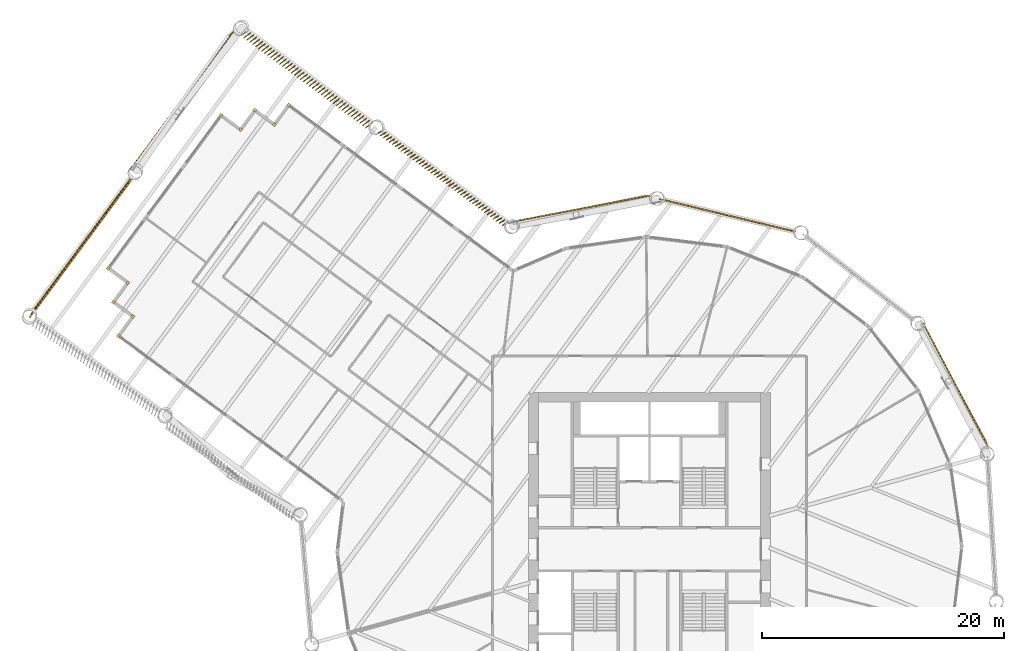
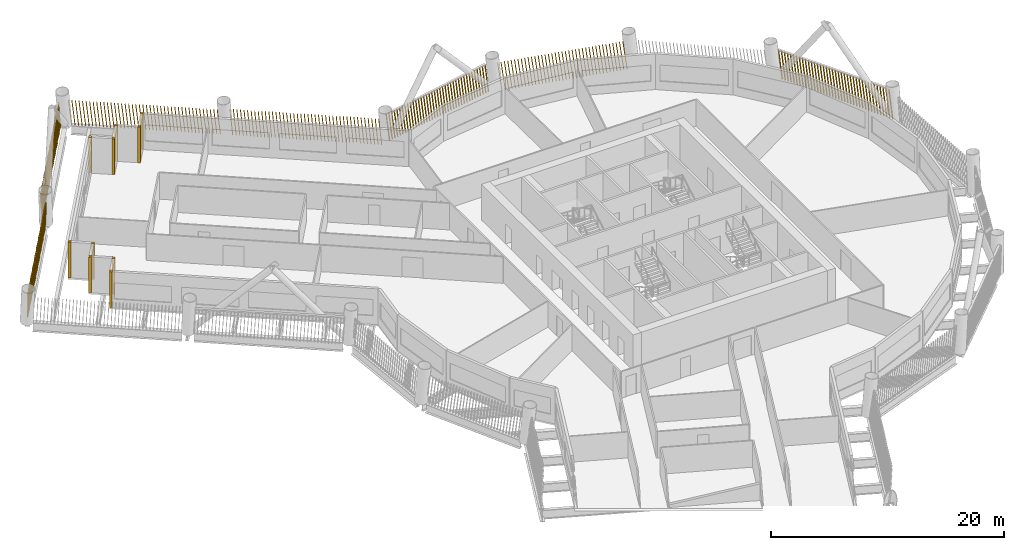
# One storey, part 21 of 23: 17 shading devices.
"""IFC4 building model written with IfcOpenShell, lengths in metres."""

from ifc_helpers import new_model, si_unit, direction, frame, frame_2d, origin, origin_2d, place, context, subcontext, project, spatial, rectangle, composite_profile, extrude, material, type_object, element, save


model = new_model("IFC4")

# Units and contexts
model_context = context("Model", 3, precision=1e-05, world=origin(), true_north=direction((0.0, 1.0)))
body_context = subcontext(model_context, "Body", "Model", "MODEL_VIEW")
ifc_project = project(units=[si_unit("LENGTHUNIT", "METRE"), si_unit("AREAUNIT", "SQUARE_METRE"), si_unit("VOLUMEUNIT", "CUBIC_METRE"), si_unit("PLANEANGLEUNIT", "RADIAN"), si_unit("MASSUNIT", "GRAM", prefix="KILO")], contexts=[model_context])

# Site, building, storey
site_placement = place(None, origin())
site = spatial("IfcSite", under=ifc_project, at=site_placement, CompositionType="ELEMENT")
building_placement = place(site_placement, origin())
building = spatial("IfcBuilding", under=site, at=building_placement, Name="Tarsis Ring Headquarters", CompositionType="ELEMENT")
storey_placement = place(building_placement, frame((0.0, 0.0, 124.0)))
storey = spatial("IfcBuildingStorey", under=building, at=storey_placement, Name="L28", CompositionType="ELEMENT", Elevation=124.0)

# Shading devices
ifc_material = material(Name="Terracotta baguette", Category="masonry")
shading_device_type_1 = type_object("IfcShadingDeviceType", Name="Terracotta baguette screen", PredefinedType="USERDEFINED", material=ifc_material)
shading_device_1_placement = place(storey_placement, frame((28.077392578125, 8.428955078125, 0.0), z_axis=(0.0, 0.0, 1.0), x_axis=(-0.465957677699, 0.884818231145, 0.0)))
element("IfcShadingDevice", 1, at=shading_device_1_placement, inside=storey, type_object=shading_device_type_1, Name="Baguette screen L28-11", ObjectType="Terracotta baguette screen", PredefinedType="USERDEFINED", context=body_context, shape_type="SweptSolid", body=[
    extrude(composite_profile([rectangle(XDim=0.06005859375, YDim=0.1201171875, at=frame_2d((0.030029296875, 0.0))), rectangle(XDim=0.06005859375, YDim=0.1201171875, at=frame_2d((0.33251953125, 0.0))), rectangle(XDim=0.06005859375, YDim=0.1201171875, at=frame_2d((0.634765625, 0.0))), rectangle(XDim=0.06005859375, YDim=0.1201171875, at=frame_2d((0.937255859375, 0.0))), rectangle(XDim=0.06005859375, YDim=0.1201171875, at=frame_2d((1.239501953125, 0.0))), rectangle(XDim=0.06005859375, YDim=0.1201171875, at=frame_2d((1.5419921875, 0.0))), rectangle(XDim=0.06005859375, YDim=0.1201171875, at=frame_2d((1.844482421875, 0.0))), rectangle(XDim=0.06005859375, YDim=0.1201171875, at=frame_2d((2.146728515625, 0.0))), rectangle(XDim=0.06005859375, YDim=0.1201171875, at=frame_2d((2.44921875, 0.0))), rectangle(XDim=0.06005859375, YDim=0.1201171875, at=frame_2d((2.751708984375, 0.0))), rectangle(XDim=0.06005859375, YDim=0.1201171875, at=frame_2d((3.053955078125, 0.0))), rectangle(XDim=0.06005859375, YDim=0.1201171875, at=frame_2d((3.3564453125, 0.0))), rectangle(XDim=0.06005859375, YDim=0.1201171875, at=frame_2d((3.65869140625, 0.0))), rectangle(XDim=0.06005859375, YDim=0.1201171875, at=frame_2d((3.961181640625, 0.0))), rectangle(XDim=0.06005859375, YDim=0.1201171875, at=frame_2d((4.263671875, 0.0))), rectangle(XDim=0.06005859375, YDim=0.1201171875, at=frame_2d((4.56591796875, 0.0))), rectangle(XDim=0.06005859375, YDim=0.1201171875, at=frame_2d((4.868408203125, 0.0))), rectangle(XDim=0.06005859375, YDim=0.1201171875, at=frame_2d((5.1708984375, 0.0))), rectangle(XDim=0.06005859375, YDim=0.1201171875, at=frame_2d((5.47314453125, 0.0))), rectangle(XDim=0.06005859375, YDim=0.1201171875, at=frame_2d((5.775634765625, 0.0))), rectangle(XDim=0.06005859375, YDim=0.1201171875, at=frame_2d((6.077880859375, 0.0))), rectangle(XDim=0.06005859375, YDim=0.1201171875, at=frame_2d((6.38037109375, 0.0))), rectangle(XDim=0.06005859375, YDim=0.1201171875, at=frame_2d((6.682861328125, 0.0))), rectangle(XDim=0.06005859375, YDim=0.1201171875, at=frame_2d((6.985107421875, 0.0))), rectangle(XDim=0.06005859375, YDim=0.1201171875, at=frame_2d((7.28759765625, 0.0))), rectangle(XDim=0.06005859375, YDim=0.1201171875, at=frame_2d((7.590087890625, 0.0))), rectangle(XDim=0.06005859375, YDim=0.1201171875, at=frame_2d((7.892333984375, 0.0))), rectangle(XDim=0.06005859375, YDim=0.1201171875, at=frame_2d((8.19482421875, 0.0))), rectangle(XDim=0.06005859375, YDim=0.1201171875, at=frame_2d((8.4970703125, 0.0))), rectangle(XDim=0.06005859375, YDim=0.1201171875, at=frame_2d((8.799560546875, 0.0))), rectangle(XDim=0.06005859375, YDim=0.1201171875, at=frame_2d((9.10205078125, 0.0))), rectangle(XDim=0.06005859375, YDim=0.1201171875, at=frame_2d((9.404296875, 0.0))), rectangle(XDim=0.06005859375, YDim=0.1201171875, at=frame_2d((9.706787109375, 0.0))), rectangle(XDim=0.06005859375, YDim=0.1201171875, at=frame_2d((10.00927734375, 0.0))), rectangle(XDim=0.06005859375, YDim=0.1201171875, at=frame_2d((10.3115234375, 0.0))), rectangle(XDim=0.06005859375, YDim=0.1201171875, at=frame_2d((10.614013671875, 0.0))), rectangle(XDim=0.06005859375, YDim=0.1201171875, at=frame_2d((10.916259765625, 0.0))), rectangle(XDim=0.06005859375, YDim=0.1201171875, at=frame_2d((11.21875, 0.0)))]), origin(), (0.131495955348, 0.000893322602, 0.991316304568), 2.978515625),
])
shading_device_2_placement = place(storey_placement, frame((12.117919921875, 26.288818359375, 0.0), z_axis=(0.0, 0.0, 1.0), x_axis=(-0.972197504069, 0.234183396636, 0.0)))
element("IfcShadingDevice", 2, at=shading_device_2_placement, inside=storey, type_object=shading_device_type_1, Name="Baguette screen L28-13", ObjectType="Terracotta baguette screen", PredefinedType="USERDEFINED", context=body_context, shape_type="SweptSolid", body=[
    extrude(composite_profile([rectangle(XDim=0.06005859375, YDim=0.1201171875, at=frame_2d((0.030029296875, 0.0))), rectangle(XDim=0.06005859375, YDim=0.1201171875, at=frame_2d((0.33251953125, 0.0))), rectangle(XDim=0.06005859375, YDim=0.1201171875, at=frame_2d((0.634765625, 0.0))), rectangle(XDim=0.06005859375, YDim=0.1201171875, at=frame_2d((0.937255859375, 0.0))), rectangle(XDim=0.06005859375, YDim=0.1201171875, at=frame_2d((1.239501953125, 0.0))), rectangle(XDim=0.06005859375, YDim=0.1201171875, at=frame_2d((1.5419921875, 0.0))), rectangle(XDim=0.06005859375, YDim=0.1201171875, at=frame_2d((1.844482421875, 0.0))), rectangle(XDim=0.06005859375, YDim=0.1201171875, at=frame_2d((2.146728515625, 0.0))), rectangle(XDim=0.06005859375, YDim=0.1201171875, at=frame_2d((2.44921875, 0.0))), rectangle(XDim=0.06005859375, YDim=0.1201171875, at=frame_2d((2.751708984375, 0.0))), rectangle(XDim=0.06005859375, YDim=0.1201171875, at=frame_2d((3.053955078125, 0.0))), rectangle(XDim=0.06005859375, YDim=0.1201171875, at=frame_2d((3.3564453125, 0.0))), rectangle(XDim=0.06005859375, YDim=0.1201171875, at=frame_2d((3.65869140625, 0.0))), rectangle(XDim=0.06005859375, YDim=0.1201171875, at=frame_2d((3.961181640625, 0.0))), rectangle(XDim=0.06005859375, YDim=0.1201171875, at=frame_2d((4.263671875, 0.0))), rectangle(XDim=0.06005859375, YDim=0.1201171875, at=frame_2d((4.56591796875, 0.0))), rectangle(XDim=0.06005859375, YDim=0.1201171875, at=frame_2d((4.868408203125, 0.0))), rectangle(XDim=0.06005859375, YDim=0.1201171875, at=frame_2d((5.1708984375, 0.0))), rectangle(XDim=0.06005859375, YDim=0.1201171875, at=frame_2d((5.47314453125, 0.0))), rectangle(XDim=0.06005859375, YDim=0.1201171875, at=frame_2d((5.775634765625, 0.0))), rectangle(XDim=0.06005859375, YDim=0.1201171875, at=frame_2d((6.077880859375, 0.0))), rectangle(XDim=0.06005859375, YDim=0.1201171875, at=frame_2d((6.38037109375, 0.0))), rectangle(XDim=0.06005859375, YDim=0.1201171875, at=frame_2d((6.682861328125, 0.0))), rectangle(XDim=0.06005859375, YDim=0.1201171875, at=frame_2d((6.985107421875, 0.0))), rectangle(XDim=0.06005859375, YDim=0.1201171875, at=frame_2d((7.28759765625, 0.0))), rectangle(XDim=0.06005859375, YDim=0.1201171875, at=frame_2d((7.590087890625, 0.0))), rectangle(XDim=0.06005859375, YDim=0.1201171875, at=frame_2d((7.892333984375, 0.0))), rectangle(XDim=0.06005859375, YDim=0.1201171875, at=frame_2d((8.19482421875, 0.0))), rectangle(XDim=0.06005859375, YDim=0.1201171875, at=frame_2d((8.4970703125, 0.0))), rectangle(XDim=0.06005859375, YDim=0.1201171875, at=frame_2d((8.799560546875, 0.0))), rectangle(XDim=0.06005859375, YDim=0.1201171875, at=frame_2d((9.10205078125, 0.0))), rectangle(XDim=0.06005859375, YDim=0.1201171875, at=frame_2d((9.404296875, 0.0))), rectangle(XDim=0.06005859375, YDim=0.1201171875, at=frame_2d((9.706787109375, 0.0))), rectangle(XDim=0.06005859375, YDim=0.1201171875, at=frame_2d((10.00927734375, 0.0))), rectangle(XDim=0.06005859375, YDim=0.1201171875, at=frame_2d((10.3115234375, 0.0))), rectangle(XDim=0.06005859375, YDim=0.1201171875, at=frame_2d((10.614013671875, 0.0))), rectangle(XDim=0.06005859375, YDim=0.1201171875, at=frame_2d((10.916259765625, 0.0))), rectangle(XDim=0.06005859375, YDim=0.1201171875, at=frame_2d((11.21875, 0.0)))]), origin(), (0.129810550602, 0.000882792672, 0.991538421661), 2.977783203125),
])
shading_device_3_placement = place(storey_placement, frame((0.13427734375, 29.31494140625, 0.0), z_axis=(0.0, 0.0, 1.0), x_axis=(-0.982289744981, -0.187368421053, 0.0)))
element("IfcShadingDevice", 3, at=shading_device_3_placement, inside=storey, type_object=shading_device_type_1, Name="Baguette screen L28-14", ObjectType="Terracotta baguette screen", PredefinedType="USERDEFINED", context=body_context, shape_type="SweptSolid", body=[
    extrude(composite_profile([rectangle(XDim=0.06005859375, YDim=0.1201171875, at=frame_2d((0.030029296875, 0.0))), rectangle(XDim=0.06005859375, YDim=0.1201171875, at=frame_2d((0.33251953125, 0.0))), rectangle(XDim=0.06005859375, YDim=0.1201171875, at=frame_2d((0.634765625, 0.0))), rectangle(XDim=0.06005859375, YDim=0.1201171875, at=frame_2d((0.937255859375, 0.0))), rectangle(XDim=0.06005859375, YDim=0.1201171875, at=frame_2d((1.239501953125, 0.0))), rectangle(XDim=0.06005859375, YDim=0.1201171875, at=frame_2d((1.5419921875, 0.0))), rectangle(XDim=0.06005859375, YDim=0.1201171875, at=frame_2d((1.844482421875, 0.0))), rectangle(XDim=0.06005859375, YDim=0.1201171875, at=frame_2d((2.146728515625, 0.0))), rectangle(XDim=0.06005859375, YDim=0.1201171875, at=frame_2d((2.44921875, 0.0))), rectangle(XDim=0.06005859375, YDim=0.1201171875, at=frame_2d((2.751708984375, 0.0))), rectangle(XDim=0.06005859375, YDim=0.1201171875, at=frame_2d((3.053955078125, 0.0))), rectangle(XDim=0.06005859375, YDim=0.1201171875, at=frame_2d((3.3564453125, 0.0))), rectangle(XDim=0.06005859375, YDim=0.1201171875, at=frame_2d((3.65869140625, 0.0))), rectangle(XDim=0.06005859375, YDim=0.1201171875, at=frame_2d((3.961181640625, 0.0))), rectangle(XDim=0.06005859375, YDim=0.1201171875, at=frame_2d((4.263671875, 0.0))), rectangle(XDim=0.06005859375, YDim=0.1201171875, at=frame_2d((4.56591796875, 0.0))), rectangle(XDim=0.06005859375, YDim=0.1201171875, at=frame_2d((4.868408203125, 0.0))), rectangle(XDim=0.06005859375, YDim=0.1201171875, at=frame_2d((5.1708984375, 0.0))), rectangle(XDim=0.06005859375, YDim=0.1201171875, at=frame_2d((5.47314453125, 0.0))), rectangle(XDim=0.06005859375, YDim=0.1201171875, at=frame_2d((5.775634765625, 0.0))), rectangle(XDim=0.06005859375, YDim=0.1201171875, at=frame_2d((6.077880859375, 0.0))), rectangle(XDim=0.06005859375, YDim=0.1201171875, at=frame_2d((6.38037109375, 0.0))), rectangle(XDim=0.06005859375, YDim=0.1201171875, at=frame_2d((6.682861328125, 0.0))), rectangle(XDim=0.06005859375, YDim=0.1201171875, at=frame_2d((6.985107421875, 0.0))), rectangle(XDim=0.06005859375, YDim=0.1201171875, at=frame_2d((7.28759765625, 0.0))), rectangle(XDim=0.06005859375, YDim=0.1201171875, at=frame_2d((7.590087890625, 0.0))), rectangle(XDim=0.06005859375, YDim=0.1201171875, at=frame_2d((7.892333984375, 0.0))), rectangle(XDim=0.06005859375, YDim=0.1201171875, at=frame_2d((8.19482421875, 0.0))), rectangle(XDim=0.06005859375, YDim=0.1201171875, at=frame_2d((8.4970703125, 0.0))), rectangle(XDim=0.06005859375, YDim=0.1201171875, at=frame_2d((8.799560546875, 0.0))), rectangle(XDim=0.06005859375, YDim=0.1201171875, at=frame_2d((9.10205078125, 0.0))), rectangle(XDim=0.06005859375, YDim=0.1201171875, at=frame_2d((9.404296875, 0.0))), rectangle(XDim=0.06005859375, YDim=0.1201171875, at=frame_2d((9.706787109375, 0.0))), rectangle(XDim=0.06005859375, YDim=0.1201171875, at=frame_2d((10.00927734375, 0.0))), rectangle(XDim=0.06005859375, YDim=0.1201171875, at=frame_2d((10.3115234375, 0.0))), rectangle(XDim=0.06005859375, YDim=0.1201171875, at=frame_2d((10.614013671875, 0.0))), rectangle(XDim=0.06005859375, YDim=0.1201171875, at=frame_2d((10.916259765625, 0.0))), rectangle(XDim=0.06005859375, YDim=0.1201171875, at=frame_2d((11.21875, 0.0)))]), origin(), (0.131495118235, 0.000893994654, 0.991316415003), 2.978515625),
])
shading_device_4_placement = place(storey_placement, frame((-11.738525390625, 27.0419921875, 0.0), z_axis=(0.0, 0.0, 1.0), x_axis=(-0.804893278837, 0.593418861641, 0.0)))
element("IfcShadingDevice", 4, at=shading_device_4_placement, inside=storey, type_object=shading_device_type_1, Name="Baguette screen L28-15", ObjectType="Terracotta baguette screen", PredefinedType="USERDEFINED", context=body_context, shape_type="SweptSolid", body=[
    extrude(composite_profile([rectangle(XDim=0.06005859375, YDim=0.1201171875, at=frame_2d((0.030029296875, 0.0))), rectangle(XDim=0.06005859375, YDim=0.1201171875, at=frame_2d((0.335693359375, 0.0))), rectangle(XDim=0.06005859375, YDim=0.1201171875, at=frame_2d((0.6416015625, 0.0))), rectangle(XDim=0.06005859375, YDim=0.1201171875, at=frame_2d((0.947265625, 0.0))), rectangle(XDim=0.06005859375, YDim=0.1201171875, at=frame_2d((1.253173828125, 0.0))), rectangle(XDim=0.06005859375, YDim=0.1201171875, at=frame_2d((1.558837890625, 0.0))), rectangle(XDim=0.06005859375, YDim=0.1201171875, at=frame_2d((1.864501953125, 0.0))), rectangle(XDim=0.06005859375, YDim=0.1201171875, at=frame_2d((2.17041015625, 0.0))), rectangle(XDim=0.06005859375, YDim=0.1201171875, at=frame_2d((2.47607421875, 0.0))), rectangle(XDim=0.06005859375, YDim=0.1201171875, at=frame_2d((2.781982421875, 0.0))), rectangle(XDim=0.06005859375, YDim=0.1201171875, at=frame_2d((3.087646484375, 0.0))), rectangle(XDim=0.06005859375, YDim=0.1201171875, at=frame_2d((3.393310546875, 0.0))), rectangle(XDim=0.06005859375, YDim=0.1201171875, at=frame_2d((3.69921875, 0.0))), rectangle(XDim=0.06005859375, YDim=0.1201171875, at=frame_2d((4.0048828125, 0.0))), rectangle(XDim=0.06005859375, YDim=0.1201171875, at=frame_2d((4.310791015625, 0.0))), rectangle(XDim=0.06005859375, YDim=0.1201171875, at=frame_2d((4.616455078125, 0.0))), rectangle(XDim=0.06005859375, YDim=0.1201171875, at=frame_2d((4.922119140625, 0.0))), rectangle(XDim=0.06005859375, YDim=0.1201171875, at=frame_2d((5.22802734375, 0.0))), rectangle(XDim=0.06005859375, YDim=0.1201171875, at=frame_2d((5.53369140625, 0.0))), rectangle(XDim=0.06005859375, YDim=0.1201171875, at=frame_2d((5.839599609375, 0.0))), rectangle(XDim=0.06005859375, YDim=0.1201171875, at=frame_2d((6.145263671875, 0.0))), rectangle(XDim=0.06005859375, YDim=0.1201171875, at=frame_2d((6.451171875, 0.0))), rectangle(XDim=0.06005859375, YDim=0.1201171875, at=frame_2d((6.7568359375, 0.0))), rectangle(XDim=0.06005859375, YDim=0.1201171875, at=frame_2d((7.0625, 0.0))), rectangle(XDim=0.06005859375, YDim=0.1201171875, at=frame_2d((7.368408203125, 0.0))), rectangle(XDim=0.06005859375, YDim=0.1201171875, at=frame_2d((7.674072265625, 0.0))), rectangle(XDim=0.06005859375, YDim=0.1201171875, at=frame_2d((7.97998046875, 0.0))), rectangle(XDim=0.06005859375, YDim=0.1201171875, at=frame_2d((8.28564453125, 0.0))), rectangle(XDim=0.06005859375, YDim=0.1201171875, at=frame_2d((8.59130859375, 0.0))), rectangle(XDim=0.06005859375, YDim=0.1201171875, at=frame_2d((8.897216796875, 0.0))), rectangle(XDim=0.06005859375, YDim=0.1201171875, at=frame_2d((9.202880859375, 0.0))), rectangle(XDim=0.06005859375, YDim=0.1201171875, at=frame_2d((9.5087890625, 0.0))), rectangle(XDim=0.06005859375, YDim=0.1201171875, at=frame_2d((9.814453125, 0.0))), rectangle(XDim=0.06005859375, YDim=0.1201171875, at=frame_2d((10.1201171875, 0.0))), rectangle(XDim=0.06005859375, YDim=0.1201171875, at=frame_2d((10.426025390625, 0.0))), rectangle(XDim=0.06005859375, YDim=0.1201171875, at=frame_2d((10.731689453125, 0.0))), rectangle(XDim=0.06005859375, YDim=0.1201171875, at=frame_2d((11.03759765625, 0.0))), rectangle(XDim=0.06005859375, YDim=0.1201171875, at=frame_2d((11.34326171875, 0.0))), rectangle(XDim=0.06005859375, YDim=0.1201171875, at=frame_2d((11.64892578125, 0.0))), rectangle(XDim=0.06005859375, YDim=0.1201171875, at=frame_2d((11.954833984375, 0.0))), rectangle(XDim=0.06005859375, YDim=0.1201171875, at=frame_2d((12.260498046875, 0.0))), rectangle(XDim=0.06005859375, YDim=0.1201171875, at=frame_2d((12.56640625, 0.0))), rectangle(XDim=0.06005859375, YDim=0.1201171875, at=frame_2d((12.8720703125, 0.0)))]), origin(), (0.06636392379, 0.145845539073, 0.987078977768), 2.9912109375),
])
shading_device_5_placement = place(storey_placement, frame((-22.928466796875, 35.291748046875, 0.0), z_axis=(0.0, 0.0, 1.0), x_axis=(-0.804889586921, 0.593430090639, 0.0)))
element("IfcShadingDevice", 5, at=shading_device_5_placement, inside=storey, type_object=shading_device_type_1, Name="Baguette screen L28-16", ObjectType="Terracotta baguette screen", PredefinedType="USERDEFINED", context=body_context, shape_type="SweptSolid", body=[
    extrude(composite_profile([rectangle(XDim=0.06005859375, YDim=0.1201171875, at=frame_2d((0.030029296875, 0.0))), rectangle(XDim=0.06005859375, YDim=0.1201171875, at=frame_2d((0.335693359375, 0.0))), rectangle(XDim=0.06005859375, YDim=0.1201171875, at=frame_2d((0.6416015625, 0.0))), rectangle(XDim=0.06005859375, YDim=0.1201171875, at=frame_2d((0.947265625, 0.0))), rectangle(XDim=0.06005859375, YDim=0.1201171875, at=frame_2d((1.253173828125, 0.0))), rectangle(XDim=0.06005859375, YDim=0.1201171875, at=frame_2d((1.558837890625, 0.0))), rectangle(XDim=0.06005859375, YDim=0.1201171875, at=frame_2d((1.864501953125, 0.0))), rectangle(XDim=0.06005859375, YDim=0.1201171875, at=frame_2d((2.17041015625, 0.0))), rectangle(XDim=0.06005859375, YDim=0.1201171875, at=frame_2d((2.47607421875, 0.0))), rectangle(XDim=0.06005859375, YDim=0.1201171875, at=frame_2d((2.781982421875, 0.0))), rectangle(XDim=0.06005859375, YDim=0.1201171875, at=frame_2d((3.087646484375, 0.0))), rectangle(XDim=0.06005859375, YDim=0.1201171875, at=frame_2d((3.393310546875, 0.0))), rectangle(XDim=0.06005859375, YDim=0.1201171875, at=frame_2d((3.69921875, 0.0))), rectangle(XDim=0.06005859375, YDim=0.1201171875, at=frame_2d((4.0048828125, 0.0))), rectangle(XDim=0.06005859375, YDim=0.1201171875, at=frame_2d((4.310791015625, 0.0))), rectangle(XDim=0.06005859375, YDim=0.1201171875, at=frame_2d((4.616455078125, 0.0))), rectangle(XDim=0.06005859375, YDim=0.1201171875, at=frame_2d((4.922119140625, 0.0))), rectangle(XDim=0.06005859375, YDim=0.1201171875, at=frame_2d((5.22802734375, 0.0))), rectangle(XDim=0.06005859375, YDim=0.1201171875, at=frame_2d((5.53369140625, 0.0))), rectangle(XDim=0.06005859375, YDim=0.1201171875, at=frame_2d((5.839599609375, 0.0))), rectangle(XDim=0.06005859375, YDim=0.1201171875, at=frame_2d((6.145263671875, 0.0))), rectangle(XDim=0.06005859375, YDim=0.1201171875, at=frame_2d((6.451171875, 0.0))), rectangle(XDim=0.06005859375, YDim=0.1201171875, at=frame_2d((6.7568359375, 0.0))), rectangle(XDim=0.06005859375, YDim=0.1201171875, at=frame_2d((7.0625, 0.0))), rectangle(XDim=0.06005859375, YDim=0.1201171875, at=frame_2d((7.368408203125, 0.0))), rectangle(XDim=0.06005859375, YDim=0.1201171875, at=frame_2d((7.674072265625, 0.0))), rectangle(XDim=0.06005859375, YDim=0.1201171875, at=frame_2d((7.97998046875, 0.0))), rectangle(XDim=0.06005859375, YDim=0.1201171875, at=frame_2d((8.28564453125, 0.0))), rectangle(XDim=0.06005859375, YDim=0.1201171875, at=frame_2d((8.59130859375, 0.0))), rectangle(XDim=0.06005859375, YDim=0.1201171875, at=frame_2d((8.897216796875, 0.0))), rectangle(XDim=0.06005859375, YDim=0.1201171875, at=frame_2d((9.202880859375, 0.0))), rectangle(XDim=0.06005859375, YDim=0.1201171875, at=frame_2d((9.5087890625, 0.0))), rectangle(XDim=0.06005859375, YDim=0.1201171875, at=frame_2d((9.814453125, 0.0))), rectangle(XDim=0.06005859375, YDim=0.1201171875, at=frame_2d((10.1201171875, 0.0))), rectangle(XDim=0.06005859375, YDim=0.1201171875, at=frame_2d((10.426025390625, 0.0))), rectangle(XDim=0.06005859375, YDim=0.1201171875, at=frame_2d((10.731689453125, 0.0))), rectangle(XDim=0.06005859375, YDim=0.1201171875, at=frame_2d((11.03759765625, 0.0))), rectangle(XDim=0.06005859375, YDim=0.1201171875, at=frame_2d((11.34326171875, 0.0))), rectangle(XDim=0.06005859375, YDim=0.1201171875, at=frame_2d((11.64892578125, 0.0))), rectangle(XDim=0.06005859375, YDim=0.1201171875, at=frame_2d((11.954833984375, 0.0))), rectangle(XDim=0.06005859375, YDim=0.1201171875, at=frame_2d((12.260498046875, 0.0))), rectangle(XDim=0.06005859375, YDim=0.1201171875, at=frame_2d((12.56640625, 0.0))), rectangle(XDim=0.06005859375, YDim=0.1201171875, at=frame_2d((12.8720703125, 0.0)))]), origin(), (0.065205017997, 0.20681164687, 0.976205535913), 3.024658203125),
])
shading_device_6_placement = place(storey_placement, frame((-34.314453125, 43.06494140625, 0.0), z_axis=(0.0, 0.0, 1.0), x_axis=(-0.593411648149, -0.804897034888, 0.0)))
element("IfcShadingDevice", 6, at=shading_device_6_placement, inside=storey, type_object=shading_device_type_1, Name="Baguette screen L28-17", ObjectType="Terracotta baguette screen", PredefinedType="USERDEFINED", context=body_context, shape_type="SweptSolid", body=[
    extrude(composite_profile([rectangle(XDim=0.06005859375, YDim=0.1201171875, at=frame_2d((0.030029296875, 0.0))), rectangle(XDim=0.06005859375, YDim=0.1201171875, at=frame_2d((0.33544921875, 0.0))), rectangle(XDim=0.06005859375, YDim=0.1201171875, at=frame_2d((0.640625, 0.0))), rectangle(XDim=0.06005859375, YDim=0.1201171875, at=frame_2d((0.946044921875, 0.0))), rectangle(XDim=0.06005859375, YDim=0.1201171875, at=frame_2d((1.25146484375, 0.0))), rectangle(XDim=0.06005859375, YDim=0.1201171875, at=frame_2d((1.556640625, 0.0))), rectangle(XDim=0.06005859375, YDim=0.1201171875, at=frame_2d((1.862060546875, 0.0))), rectangle(XDim=0.06005859375, YDim=0.1201171875, at=frame_2d((2.16748046875, 0.0))), rectangle(XDim=0.06005859375, YDim=0.1201171875, at=frame_2d((2.47265625, 0.0))), rectangle(XDim=0.06005859375, YDim=0.1201171875, at=frame_2d((2.778076171875, 0.0))), rectangle(XDim=0.06005859375, YDim=0.1201171875, at=frame_2d((3.08349609375, 0.0))), rectangle(XDim=0.06005859375, YDim=0.1201171875, at=frame_2d((3.388671875, 0.0))), rectangle(XDim=0.06005859375, YDim=0.1201171875, at=frame_2d((3.694091796875, 0.0))), rectangle(XDim=0.06005859375, YDim=0.1201171875, at=frame_2d((3.99951171875, 0.0))), rectangle(XDim=0.06005859375, YDim=0.1201171875, at=frame_2d((4.3046875, 0.0))), rectangle(XDim=0.06005859375, YDim=0.1201171875, at=frame_2d((4.610107421875, 0.0))), rectangle(XDim=0.06005859375, YDim=0.1201171875, at=frame_2d((4.91552734375, 0.0))), rectangle(XDim=0.06005859375, YDim=0.1201171875, at=frame_2d((5.220703125, 0.0))), rectangle(XDim=0.06005859375, YDim=0.1201171875, at=frame_2d((5.526123046875, 0.0))), rectangle(XDim=0.06005859375, YDim=0.1201171875, at=frame_2d((5.83154296875, 0.0))), rectangle(XDim=0.06005859375, YDim=0.1201171875, at=frame_2d((6.13671875, 0.0))), rectangle(XDim=0.06005859375, YDim=0.1201171875, at=frame_2d((6.442138671875, 0.0))), rectangle(XDim=0.06005859375, YDim=0.1201171875, at=frame_2d((6.74755859375, 0.0))), rectangle(XDim=0.06005859375, YDim=0.1201171875, at=frame_2d((7.052734375, 0.0))), rectangle(XDim=0.06005859375, YDim=0.1201171875, at=frame_2d((7.358154296875, 0.0))), rectangle(XDim=0.06005859375, YDim=0.1201171875, at=frame_2d((7.66357421875, 0.0))), rectangle(XDim=0.06005859375, YDim=0.1201171875, at=frame_2d((7.96875, 0.0))), rectangle(XDim=0.06005859375, YDim=0.1201171875, at=frame_2d((8.274169921875, 0.0))), rectangle(XDim=0.06005859375, YDim=0.1201171875, at=frame_2d((8.57958984375, 0.0))), rectangle(XDim=0.06005859375, YDim=0.1201171875, at=frame_2d((8.884765625, 0.0))), rectangle(XDim=0.06005859375, YDim=0.1201171875, at=frame_2d((9.190185546875, 0.0))), rectangle(XDim=0.06005859375, YDim=0.1201171875, at=frame_2d((9.49560546875, 0.0))), rectangle(XDim=0.06005859375, YDim=0.1201171875, at=frame_2d((9.80078125, 0.0))), rectangle(XDim=0.06005859375, YDim=0.1201171875, at=frame_2d((10.106201171875, 0.0))), rectangle(XDim=0.06005859375, YDim=0.1201171875, at=frame_2d((10.41162109375, 0.0))), rectangle(XDim=0.06005859375, YDim=0.1201171875, at=frame_2d((10.716796875, 0.0))), rectangle(XDim=0.06005859375, YDim=0.1201171875, at=frame_2d((11.022216796875, 0.0))), rectangle(XDim=0.06005859375, YDim=0.1201171875, at=frame_2d((11.32763671875, 0.0))), rectangle(XDim=0.06005859375, YDim=0.1201171875, at=frame_2d((11.6328125, 0.0))), rectangle(XDim=0.06005859375, YDim=0.1201171875, at=frame_2d((11.938232421875, 0.0))), rectangle(XDim=0.06005859375, YDim=0.1201171875, at=frame_2d((12.24365234375, 0.0))), rectangle(XDim=0.06005859375, YDim=0.1201171875, at=frame_2d((12.548828125, 0.0))), rectangle(XDim=0.06005859375, YDim=0.1201171875, at=frame_2d((12.854248046875, 0.0))), rectangle(XDim=0.06005859375, YDim=0.1201171875, at=frame_2d((13.15966796875, 0.0))), rectangle(XDim=0.06005859375, YDim=0.1201171875, at=frame_2d((13.46484375, 0.0))), rectangle(XDim=0.06005859375, YDim=0.1201171875, at=frame_2d((13.770263671875, 0.0)))]), origin(), (0.238206141296, -0.031499890638, 0.970703657734), 3.041748046875),
])
shading_device_7_placement = place(storey_placement, frame((-42.795166015625, 30.93017578125, 0.0), z_axis=(0.0, 0.0, 1.0), x_axis=(-0.593418841221, -0.80490048651, 0.0)))
element("IfcShadingDevice", 7, at=shading_device_7_placement, inside=storey, type_object=shading_device_type_1, Name="Baguette screen L28-18", ObjectType="Terracotta baguette screen", PredefinedType="USERDEFINED", context=body_context, shape_type="SweptSolid", body=[
    extrude(composite_profile([rectangle(XDim=0.06005859375, YDim=0.1201171875, at=frame_2d((0.030029296875, 0.0))), rectangle(XDim=0.06005859375, YDim=0.1201171875, at=frame_2d((0.33544921875, 0.0))), rectangle(XDim=0.06005859375, YDim=0.1201171875, at=frame_2d((0.640625, 0.0))), rectangle(XDim=0.06005859375, YDim=0.1201171875, at=frame_2d((0.946044921875, 0.0))), rectangle(XDim=0.06005859375, YDim=0.1201171875, at=frame_2d((1.25146484375, 0.0))), rectangle(XDim=0.06005859375, YDim=0.1201171875, at=frame_2d((1.556640625, 0.0))), rectangle(XDim=0.06005859375, YDim=0.1201171875, at=frame_2d((1.862060546875, 0.0))), rectangle(XDim=0.06005859375, YDim=0.1201171875, at=frame_2d((2.16748046875, 0.0))), rectangle(XDim=0.06005859375, YDim=0.1201171875, at=frame_2d((2.47265625, 0.0))), rectangle(XDim=0.06005859375, YDim=0.1201171875, at=frame_2d((2.778076171875, 0.0))), rectangle(XDim=0.06005859375, YDim=0.1201171875, at=frame_2d((3.08349609375, 0.0))), rectangle(XDim=0.06005859375, YDim=0.1201171875, at=frame_2d((3.388671875, 0.0))), rectangle(XDim=0.06005859375, YDim=0.1201171875, at=frame_2d((3.694091796875, 0.0))), rectangle(XDim=0.06005859375, YDim=0.1201171875, at=frame_2d((3.99951171875, 0.0))), rectangle(XDim=0.06005859375, YDim=0.1201171875, at=frame_2d((4.3046875, 0.0))), rectangle(XDim=0.06005859375, YDim=0.1201171875, at=frame_2d((4.610107421875, 0.0))), rectangle(XDim=0.06005859375, YDim=0.1201171875, at=frame_2d((4.91552734375, 0.0))), rectangle(XDim=0.06005859375, YDim=0.1201171875, at=frame_2d((5.220703125, 0.0))), rectangle(XDim=0.06005859375, YDim=0.1201171875, at=frame_2d((5.526123046875, 0.0))), rectangle(XDim=0.06005859375, YDim=0.1201171875, at=frame_2d((5.83154296875, 0.0))), rectangle(XDim=0.06005859375, YDim=0.1201171875, at=frame_2d((6.13671875, 0.0))), rectangle(XDim=0.06005859375, YDim=0.1201171875, at=frame_2d((6.442138671875, 0.0))), rectangle(XDim=0.06005859375, YDim=0.1201171875, at=frame_2d((6.74755859375, 0.0))), rectangle(XDim=0.06005859375, YDim=0.1201171875, at=frame_2d((7.052734375, 0.0))), rectangle(XDim=0.06005859375, YDim=0.1201171875, at=frame_2d((7.358154296875, 0.0))), rectangle(XDim=0.06005859375, YDim=0.1201171875, at=frame_2d((7.66357421875, 0.0))), rectangle(XDim=0.06005859375, YDim=0.1201171875, at=frame_2d((7.96875, 0.0))), rectangle(XDim=0.06005859375, YDim=0.1201171875, at=frame_2d((8.274169921875, 0.0))), rectangle(XDim=0.06005859375, YDim=0.1201171875, at=frame_2d((8.57958984375, 0.0))), rectangle(XDim=0.06005859375, YDim=0.1201171875, at=frame_2d((8.884765625, 0.0))), rectangle(XDim=0.06005859375, YDim=0.1201171875, at=frame_2d((9.190185546875, 0.0))), rectangle(XDim=0.06005859375, YDim=0.1201171875, at=frame_2d((9.49560546875, 0.0))), rectangle(XDim=0.06005859375, YDim=0.1201171875, at=frame_2d((9.80078125, 0.0))), rectangle(XDim=0.06005859375, YDim=0.1201171875, at=frame_2d((10.106201171875, 0.0))), rectangle(XDim=0.06005859375, YDim=0.1201171875, at=frame_2d((10.41162109375, 0.0))), rectangle(XDim=0.06005859375, YDim=0.1201171875, at=frame_2d((10.716796875, 0.0))), rectangle(XDim=0.06005859375, YDim=0.1201171875, at=frame_2d((11.022216796875, 0.0))), rectangle(XDim=0.06005859375, YDim=0.1201171875, at=frame_2d((11.32763671875, 0.0))), rectangle(XDim=0.06005859375, YDim=0.1201171875, at=frame_2d((11.6328125, 0.0))), rectangle(XDim=0.06005859375, YDim=0.1201171875, at=frame_2d((11.938232421875, 0.0))), rectangle(XDim=0.06005859375, YDim=0.1201171875, at=frame_2d((12.24365234375, 0.0))), rectangle(XDim=0.06005859375, YDim=0.1201171875, at=frame_2d((12.548828125, 0.0))), rectangle(XDim=0.06005859375, YDim=0.1201171875, at=frame_2d((12.854248046875, 0.0))), rectangle(XDim=0.06005859375, YDim=0.1201171875, at=frame_2d((13.15966796875, 0.0))), rectangle(XDim=0.06005859375, YDim=0.1201171875, at=frame_2d((13.46484375, 0.0))), rectangle(XDim=0.06005859375, YDim=0.1201171875, at=frame_2d((13.770263671875, 0.0)))]), origin(), (0.236172764105, 0.034739458497, 0.971089900843), 3.04052734375),
])
shading_device_type_2 = type_object("IfcShadingDeviceType", Name="Terracotta corner baguette 250x250", PredefinedType="USERDEFINED", material=ifc_material)
for number, where, z_axis, x_axis, name in (
    (8, (-43.971435546875, 17.6650390625, 0.0), (0.0, 0.0, 1.0), (-0.593418858508, -0.80489381807, 0.0), "Corner baguette L28-01"),
    (9, (-29.877685546875, 36.78125, 0.0), (0.0, 0.0, 1.0), (-0.80489381807, 0.593418858508, 0.0), "Corner baguette L28-32"),
    (10, (-31.064453125, 35.17138671875, 0.0), (0.0, 0.0, 1.0), (-0.593418535402, -0.804894056284, 0.0), "Corner baguette L28-33"),
    (11, (-32.67431640625, 36.358154296875, 0.0), (0.0, 0.0, 1.0), (-0.804893579856, 0.593419181613, 0.0), "Corner baguette L28-34"),
    (12, (-33.861083984375, 34.74853515625, 0.0), (0.0, 0.0, 1.0), (-0.593418858508, -0.80489381807, 0.0), "Corner baguette L28-35"),
    (13, (-35.470947265625, 35.935302734375, 0.0), (0.0, 0.0, 1.0), (-0.804894056284, 0.593418535402, 0.0), "Corner baguette L28-36"),
    (14, (-44.817138671875, 23.25830078125, 0.0), (0.0, 0.0, 1.0), (-0.593418900652, -0.804893786999, 0.0), "Corner baguette L28-37"),
    (15, (-43.20751953125, 22.0712890625, 0.0), (0.0, 0.0, 1.0), (0.80489381807, -0.593418858508, 0.0), "Corner baguette L28-38"),
    (16, (-44.394287109375, 20.461669921875, 0.0), (0.0, 0.0, 1.0), (-0.593418858508, -0.80489381807, 0.0), "Corner baguette L28-39"),
    (17, (-42.784423828125, 19.274658203125, 0.0), (0.0, 0.0, 1.0), (0.804894056284, -0.593418535402, 0.0), "Corner baguette L28-40"),
):
    element("IfcShadingDevice", number, at=place(storey_placement, frame(where, z_axis=z_axis, x_axis=x_axis)), inside=storey, type_object=shading_device_type_2, Name=name, ObjectType="Terracotta corner baguette", PredefinedType="USERDEFINED", context=body_context, shape_type="SweptSolid", body=[
        extrude(rectangle(XDim=0.25, YDim=0.25, at=origin_2d()), origin(), (0.0, 0.0, 1.0), 3.739990234375),
    ])

save(model, "model.ifc")
